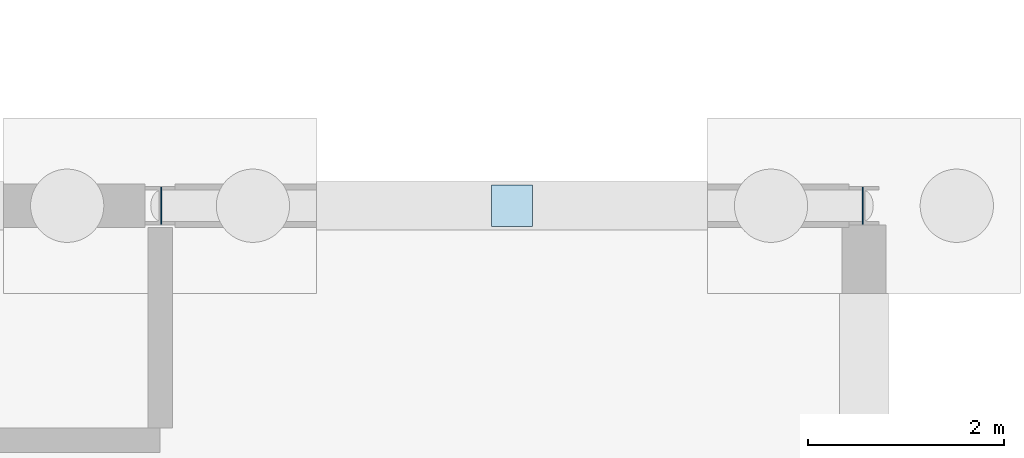
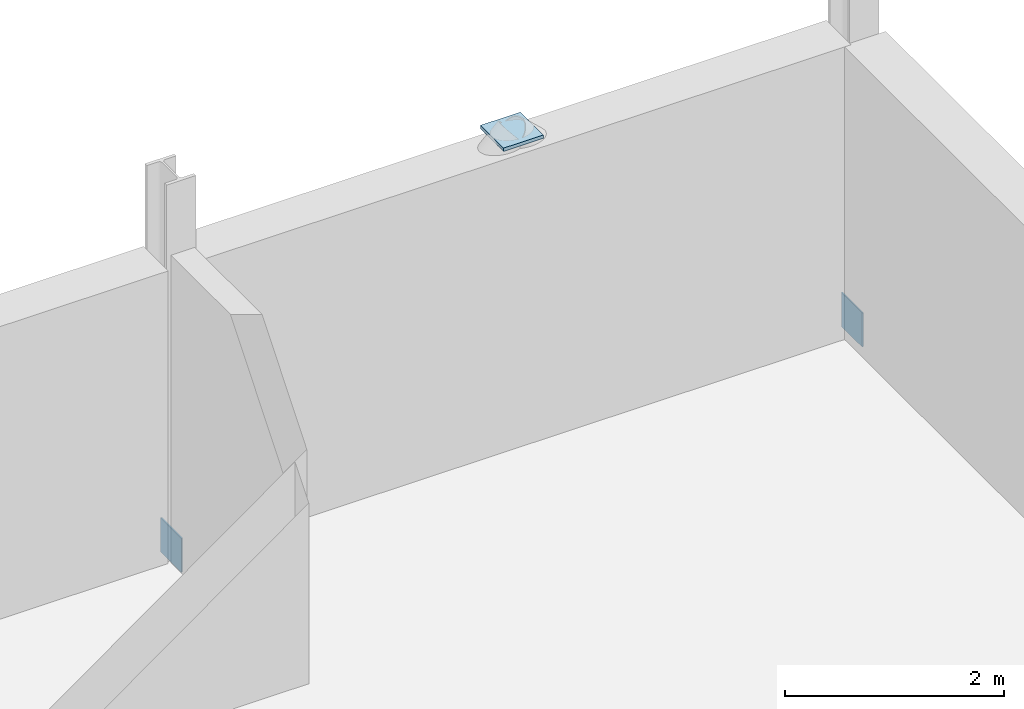
# One storey, part 33 of 50: 3 plates.
"""IFC4 building model written with IfcOpenShell, lengths in metres."""

from ifc_helpers import new_model, si_unit, direction, frame, origin, origin_2d, place, context, subcontext, project, spatial, rectangle, extrude, material, layer, layer_set, type_object, element, save


model = new_model("IFC4")

# Units and contexts
model_context = context("Model", 3, precision=1e-05, world=origin(), true_north=direction((0.0, 1.0)))
body_context = subcontext(model_context, "Body", "Model", "MODEL_VIEW")
ifc_project = project(units=[si_unit("LENGTHUNIT", "METRE"), si_unit("AREAUNIT", "SQUARE_METRE"), si_unit("VOLUMEUNIT", "CUBIC_METRE"), si_unit("PLANEANGLEUNIT", "RADIAN"), si_unit("MASSUNIT", "GRAM", prefix="KILO")], contexts=[model_context])

# Site, building, storey
site_placement = place(None, origin())
site = spatial("IfcSite", under=ifc_project, at=site_placement, CompositionType="ELEMENT")
building_placement = place(site_placement, origin())
building = spatial("IfcBuilding", under=site, at=building_placement, Name="Narikvali Park Central Library", CompositionType="ELEMENT")
storey_placement = place(building_placement, frame((0.0, 0.0, -4.199951171875)))
storey = spatial("IfcBuildingStorey", under=building, at=storey_placement, Name="B1", CompositionType="ELEMENT", Elevation=-4.199951171875)

# Plates
ifc_material = material(Name="Steel S355", Category="steel")
ifc_layer_1 = layer(ifc_material, 0.013916015625, Name="Steel S355")
ifc_layer_set_1 = layer_set([ifc_layer_1], Name="Steel S355")
plate_type_1 = type_object("IfcPlateType", Name="Steel Hollow End Cap Plate 14", PredefinedType="SHEET", material=ifc_layer_set_1)
for number, where, z_axis, x_axis, name in (
    (1, (158.412109375, 115.199951171875, -0.177734375), (0.0, 0.0, 1.0), (-1.0, 0.0, 0.0), "Hollow Section Steel End Cap BR-ECAP-5-B1-A0"),
    (2, (165.587890625, 115.199951171875, -0.177734375), (0.0, 0.0, 1.0), (1.0, 0.0, 0.0), "Hollow Section Steel End Cap BR-ECAP-5-B1-B0"),
):
    element("IfcPlate", number, at=place(storey_placement, frame(where, z_axis=z_axis, x_axis=x_axis)), inside=storey, type_object=plate_type_1, Name=name, PredefinedType="SHEET", context=body_context, shape_type="SweptSolid", body=[
        extrude(rectangle(XDim=0.013916015625, YDim=0.3798828125, at=origin_2d()), origin(), (0.0, 0.0, 1.0), 0.3798828125),
    ])
ifc_layer_2 = layer(ifc_material, 0.0380859375, Name="Steel S355")
ifc_layer_set_2 = layer_set([ifc_layer_2], Name="Steel S355")
plate_type_2 = type_object("IfcPlateType", Name="Truss Splice Gusset Plate 38", PredefinedType="SHEET", material=ifc_layer_set_2)
plate_placement = place(storey_placement, frame((162.0, 115.199951171875, 3.3408203125), z_axis=(0.0, 0.0, 1.0), x_axis=(1.0, 0.0, 0.0)))
element("IfcPlate", 3, at=plate_placement, inside=storey, type_object=plate_type_2, Name="V3 B1 Chevron Apex Gusset Cap Plate", PredefinedType="SHEET", context=body_context, shape_type="SweptSolid", body=[
    extrude(rectangle(XDim=0.419921875, YDim=0.419921875, at=origin_2d()), origin(), (0.0, 0.0, 1.0), 0.0380859375),
])

save(model, "model.ifc")
